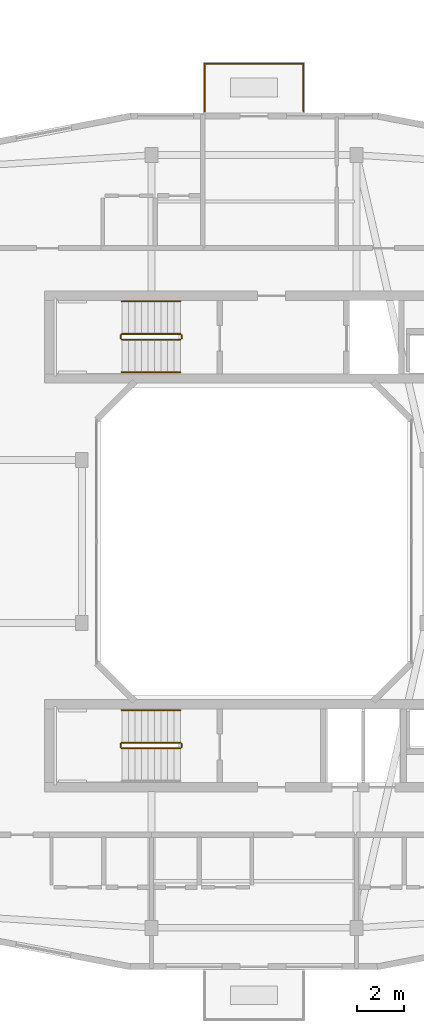
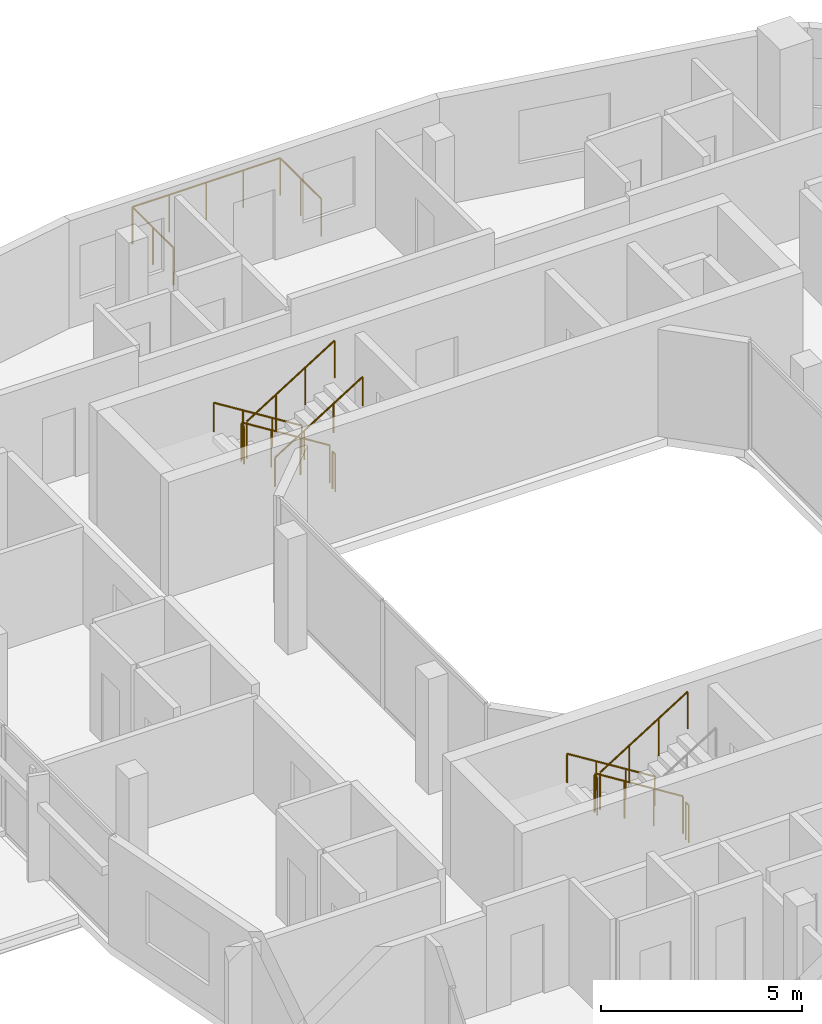
# One storey, part 22 of 22: 14 railings.
"""IFC4 building model written with IfcOpenShell, lengths in metres."""

from ifc_helpers import new_model, si_unit, derived_unit, direction, frame, origin, origin_2d, place, context, subcontext, project, spatial, circle, extrude, material, type_object, element, save


model = new_model("IFC4")

# Units and contexts
model_context = context("Model", 3, precision=1e-05, world=origin(), true_north=direction((0.0, 1.0)))
body_context = subcontext(model_context, "Body", "Model", "MODEL_VIEW")
ifc_project = project(units=[si_unit("LENGTHUNIT", "METRE"), si_unit("AREAUNIT", "SQUARE_METRE"), si_unit("VOLUMEUNIT", "CUBIC_METRE"), si_unit("PLANEANGLEUNIT", "RADIAN"), si_unit("MASSUNIT", "GRAM", prefix="KILO"), derived_unit("THERMALTRANSMITTANCEUNIT", [(si_unit("POWERUNIT", "WATT"), 1), (si_unit("LENGTHUNIT", "METRE"), -2), (si_unit("THERMODYNAMICTEMPERATUREUNIT", "KELVIN"), -1)])], contexts=[model_context])

# Site, building, storey
site_placement = place(None, origin())
site = spatial("IfcSite", under=ifc_project, at=site_placement, CompositionType="ELEMENT")
building_placement = place(site_placement, origin())
building = spatial("IfcBuilding", under=site, at=building_placement, Name="Kivonza Crest Hotel", CompositionType="ELEMENT")
storey_placement = place(building_placement, frame((0.0, 0.0, 124.0)))
storey = spatial("IfcBuildingStorey", under=building, at=storey_placement, Name="L33", CompositionType="ELEMENT", Elevation=124.0)

# Railings
ifc_material_1 = material(Name="Brushed stainless steel handrail", Category="steel")
railing_type_1 = type_object("IfcRailingType", Name="RL-HAND-900", PredefinedType="HANDRAIL", material=ifc_material_1)
railing_1_placement = place(storey_placement, frame((73.840087890625, 35.31005859375, 0.175048828125)))
element("IfcRailing", 1, at=railing_1_placement, inside=storey, type_object=railing_type_1, Name="L33 ST-T2-N stair handrail 1", PredefinedType="HANDRAIL", context=body_context, shape_type="SweptSolid", body=[
    extrude(circle(Radius=0.02392578125, at=origin_2d()), frame((0.0, 0.0, 0.8759765625), z_axis=(-0.848007534815, 0.0, 0.529984170421), x_axis=(0.0, -1.0, 0.0)), (0.0, 0.0, 1.0), 2.9716796875),
    extrude(circle(Radius=0.02099609375, at=origin_2d()), origin(), (0.0, 0.0, 1.0), 0.851806640625),
    extrude(circle(Radius=0.02099609375, at=origin_2d()), frame((-0.840087890625, 0.0, 0.52490234375)), (0.0, 0.0, 1.0), 0.851806640625),
    extrude(circle(Radius=0.02099609375, at=origin_2d()), frame((-1.679931640625, 0.0, 1.050048828125)), (0.0, 0.0, 1.0), 0.851806640625),
    extrude(circle(Radius=0.02099609375, at=origin_2d()), frame((-2.52001953125, 0.0, 1.574951171875)), (0.0, 0.0, 1.0), 0.851806640625),
])
railing_2_placement = place(storey_placement, frame((71.320068359375, 32.27001953125, 1.925048828125)))
element("IfcRailing", 2, at=railing_2_placement, inside=storey, type_object=railing_type_1, Name="L33 ST-T2-N stair handrail 2", PredefinedType="HANDRAIL", context=body_context, shape_type="SweptSolid", body=[
    extrude(circle(Radius=0.02392578125, at=origin_2d()), frame((0.0, 0.0, 0.8759765625), z_axis=(0.848007534815, 0.0, 0.529984170421), x_axis=(0.0, 1.0, 0.0)), (0.0, 0.0, 1.0), 2.9716796875),
    extrude(circle(Radius=0.02099609375, at=origin_2d()), origin(), (0.0, 0.0, 1.0), 0.851806640625),
    extrude(circle(Radius=0.02099609375, at=origin_2d()), frame((0.840087890625, 0.0, 0.52490234375)), (0.0, 0.0, 1.0), 0.851806640625),
    extrude(circle(Radius=0.02099609375, at=origin_2d()), frame((1.679931640625, 0.0, 1.050048828125)), (0.0, 0.0, 1.0), 0.851806640625),
    extrude(circle(Radius=0.02099609375, at=origin_2d()), frame((2.52001953125, 0.0, 1.574951171875)), (0.0, 0.0, 1.0), 0.851806640625),
])
railing_3_placement = place(storey_placement, frame((73.840087890625, 17.75, 0.175048828125)))
element("IfcRailing", 3, at=railing_3_placement, inside=storey, type_object=railing_type_1, Name="L33 ST-T2-S stair handrail 1", PredefinedType="HANDRAIL", context=body_context, shape_type="SweptSolid", body=[
    extrude(circle(Radius=0.02392578125, at=origin_2d()), frame((0.0, 0.0, 0.8759765625), z_axis=(-0.848007534815, 0.0, 0.529984170421), x_axis=(0.0, -1.0, 0.0)), (0.0, 0.0, 1.0), 2.9716796875),
    extrude(circle(Radius=0.02099609375, at=origin_2d()), origin(), (0.0, 0.0, 1.0), 0.851806640625),
    extrude(circle(Radius=0.02099609375, at=origin_2d()), frame((-0.840087890625, 0.0, 0.52490234375)), (0.0, 0.0, 1.0), 0.851806640625),
    extrude(circle(Radius=0.02099609375, at=origin_2d()), frame((-1.679931640625, 0.0, 1.050048828125)), (0.0, 0.0, 1.0), 0.851806640625),
    extrude(circle(Radius=0.02099609375, at=origin_2d()), frame((-2.52001953125, 0.0, 1.574951171875)), (0.0, 0.0, 1.0), 0.851806640625),
])
ifc_material_2 = material(Name="Painted steel balustrade", Category="steel")
railing_type_2 = type_object("IfcRailingType", Name="RL-STAIR-1150", PredefinedType="BALUSTRADE", material=ifc_material_2)
railing_4_placement = place(storey_placement, frame((73.840087890625, 33.909912109375, 0.175048828125)))
element("IfcRailing", 4, at=railing_4_placement, inside=storey, type_object=railing_type_2, Name="L33 ST-T2-N stair guard 1", PredefinedType="BALUSTRADE", context=body_context, shape_type="SweptSolid", body=[
    extrude(circle(Radius=0.02392578125, at=origin_2d()), frame((0.0, 0.0, 1.1259765625), z_axis=(-0.848007534815, 0.0, 0.529984170421), x_axis=(0.0, -1.0, 0.0)), (0.0, 0.0, 1.0), 2.9716796875),
    extrude(circle(Radius=0.02099609375, at=origin_2d()), origin(), (0.0, 0.0, 1.0), 1.101806640625),
    extrude(circle(Radius=0.02099609375, at=origin_2d()), frame((-0.840087890625, 0.0, 0.52490234375)), (0.0, 0.0, 1.0), 1.101806640625),
    extrude(circle(Radius=0.02099609375, at=origin_2d()), frame((-1.679931640625, 0.0, 1.050048828125)), (0.0, 0.0, 1.0), 1.101806640625),
    extrude(circle(Radius=0.02099609375, at=origin_2d()), frame((-2.52001953125, 0.0, 1.574951171875)), (0.0, 0.0, 1.0), 1.101806640625),
])
railing_5_placement = place(storey_placement, frame((71.27001953125, 33.860107421875, 1.75)))
element("IfcRailing", 5, at=railing_5_placement, inside=storey, type_object=railing_type_2, Name="L33 ST-T2-N stair guard 2", PredefinedType="BALUSTRADE", context=body_context, shape_type="SweptSolid", body=[
    extrude(circle(Radius=0.02392578125, at=origin_2d()), frame((0.0, 0.0, 1.1259765625), z_axis=(0.0, -1.0, 0.0), x_axis=(1.0, 0.0, 0.0)), (0.0, 0.0, 1.0), 0.14013671875),
    extrude(circle(Radius=0.02099609375, at=origin_2d()), origin(), (0.0, 0.0, 1.0), 1.101806640625),
    extrude(circle(Radius=0.02099609375, at=origin_2d()), frame((0.0, -0.14013671875, 0.0)), (0.0, 0.0, 1.0), 1.101806640625),
])
railing_6_placement = place(storey_placement, frame((71.320068359375, 33.669921875, 1.925048828125)))
element("IfcRailing", 6, at=railing_6_placement, inside=storey, type_object=railing_type_2, Name="L33 ST-T2-N stair guard 3", PredefinedType="BALUSTRADE", context=body_context, shape_type="SweptSolid", body=[
    extrude(circle(Radius=0.02392578125, at=origin_2d()), frame((0.0, 0.0, 1.1259765625), z_axis=(0.848007534815, 0.0, 0.529984170421), x_axis=(0.0, 1.0, 0.0)), (0.0, 0.0, 1.0), 2.9716796875),
    extrude(circle(Radius=0.02099609375, at=origin_2d()), origin(), (0.0, 0.0, 1.0), 1.101806640625),
    extrude(circle(Radius=0.02099609375, at=origin_2d()), frame((0.840087890625, 0.0, 0.52490234375)), (0.0, 0.0, 1.0), 1.101806640625),
    extrude(circle(Radius=0.02099609375, at=origin_2d()), frame((1.679931640625, 0.0, 1.050048828125)), (0.0, 0.0, 1.0), 1.101806640625),
    extrude(circle(Radius=0.02099609375, at=origin_2d()), frame((2.52001953125, 0.0, 1.574951171875)), (0.0, 0.0, 1.0), 1.101806640625),
])
railing_7_placement = place(storey_placement, frame((73.889892578125, 33.860107421875, 0.0)))
element("IfcRailing", 7, at=railing_7_placement, inside=storey, type_object=railing_type_2, Name="L33 ST-T2-N stair guard 4", PredefinedType="BALUSTRADE", context=body_context, shape_type="SweptSolid", body=[
    extrude(circle(Radius=0.02392578125, at=origin_2d()), frame((0.0, 0.0, 1.1259765625), z_axis=(0.0, -1.0, 0.0), x_axis=(1.0, 0.0, 0.0)), (0.0, 0.0, 1.0), 0.14013671875),
    extrude(circle(Radius=0.02099609375, at=origin_2d()), origin(), (0.0, 0.0, 1.0), 1.101806640625),
    extrude(circle(Radius=0.02099609375, at=origin_2d()), frame((0.0, -0.14013671875, 0.0)), (0.0, 0.0, 1.0), 1.101806640625),
])
railing_8_placement = place(storey_placement, frame((73.840087890625, 16.35009765625, 0.175048828125)))
element("IfcRailing", 8, at=railing_8_placement, inside=storey, type_object=railing_type_2, Name="L33 ST-T2-S stair guard 1", PredefinedType="BALUSTRADE", context=body_context, shape_type="SweptSolid", body=[
    extrude(circle(Radius=0.02392578125, at=origin_2d()), frame((0.0, 0.0, 1.1259765625), z_axis=(-0.848007534815, 0.0, 0.529984170421), x_axis=(0.0, -1.0, 0.0)), (0.0, 0.0, 1.0), 2.9716796875),
    extrude(circle(Radius=0.02099609375, at=origin_2d()), origin(), (0.0, 0.0, 1.0), 1.101806640625),
    extrude(circle(Radius=0.02099609375, at=origin_2d()), frame((-0.840087890625, 0.0, 0.52490234375)), (0.0, 0.0, 1.0), 1.101806640625),
    extrude(circle(Radius=0.02099609375, at=origin_2d()), frame((-1.679931640625, 0.0, 1.050048828125)), (0.0, 0.0, 1.0), 1.101806640625),
    extrude(circle(Radius=0.02099609375, at=origin_2d()), frame((-2.52001953125, 0.0, 1.574951171875)), (0.0, 0.0, 1.0), 1.101806640625),
])
railing_9_placement = place(storey_placement, frame((71.27001953125, 16.300048828125, 1.75)))
element("IfcRailing", 9, at=railing_9_placement, inside=storey, type_object=railing_type_2, Name="L33 ST-T2-S stair guard 2", PredefinedType="BALUSTRADE", context=body_context, shape_type="SweptSolid", body=[
    extrude(circle(Radius=0.02392578125, at=origin_2d()), frame((0.0, 0.0, 1.1259765625), z_axis=(0.0, -1.0, 0.0), x_axis=(1.0, 0.0, 0.0)), (0.0, 0.0, 1.0), 0.14013671875),
    extrude(circle(Radius=0.02099609375, at=origin_2d()), origin(), (0.0, 0.0, 1.0), 1.101806640625),
    extrude(circle(Radius=0.02099609375, at=origin_2d()), frame((0.0, -0.14013671875, 0.0)), (0.0, 0.0, 1.0), 1.101806640625),
])
railing_10_placement = place(storey_placement, frame((71.320068359375, 16.110107421875, 1.925048828125)))
element("IfcRailing", 10, at=railing_10_placement, inside=storey, type_object=railing_type_2, Name="L33 ST-T2-S stair guard 3", PredefinedType="BALUSTRADE", context=body_context, shape_type="SweptSolid", body=[
    extrude(circle(Radius=0.02392578125, at=origin_2d()), frame((0.0, 0.0, 1.1259765625), z_axis=(0.848007534815, 0.0, 0.529984170421), x_axis=(0.0, 1.0, 0.0)), (0.0, 0.0, 1.0), 2.9716796875),
    extrude(circle(Radius=0.02099609375, at=origin_2d()), origin(), (0.0, 0.0, 1.0), 1.101806640625),
    extrude(circle(Radius=0.02099609375, at=origin_2d()), frame((0.840087890625, 0.0, 0.52490234375)), (0.0, 0.0, 1.0), 1.101806640625),
    extrude(circle(Radius=0.02099609375, at=origin_2d()), frame((1.679931640625, 0.0, 1.050048828125)), (0.0, 0.0, 1.0), 1.101806640625),
    extrude(circle(Radius=0.02099609375, at=origin_2d()), frame((2.52001953125, 0.0, 1.574951171875)), (0.0, 0.0, 1.0), 1.101806640625),
])
railing_11_placement = place(storey_placement, frame((73.889892578125, 16.300048828125, 0.0)))
element("IfcRailing", 11, at=railing_11_placement, inside=storey, type_object=railing_type_2, Name="L33 ST-T2-S stair guard 4", PredefinedType="BALUSTRADE", context=body_context, shape_type="SweptSolid", body=[
    extrude(circle(Radius=0.02392578125, at=origin_2d()), frame((0.0, 0.0, 1.1259765625), z_axis=(0.0, -1.0, 0.0), x_axis=(1.0, 0.0, 0.0)), (0.0, 0.0, 1.0), 0.14013671875),
    extrude(circle(Radius=0.02099609375, at=origin_2d()), origin(), (0.0, 0.0, 1.0), 1.101806640625),
    extrude(circle(Radius=0.02099609375, at=origin_2d()), frame((0.0, -0.14013671875, 0.0)), (0.0, 0.0, 1.0), 1.101806640625),
])
ifc_material_3 = material(Name="Laminated glass and stainless steel balustrade", Category="steel")
railing_type_3 = type_object("IfcRailingType", Name="RL-TERR-1150", PredefinedType="BALUSTRADE", material=ifc_material_3)
railing_12_placement = place(storey_placement, frame((74.8798828125, 43.47998046875, 0.0)))
element("IfcRailing", 12, at=railing_12_placement, inside=storey, type_object=railing_type_3, Name="L33 T2-L33-SG-NE perimeter safety balustrade 1", PredefinedType="BALUSTRADE", context=body_context, shape_type="SweptSolid", body=[
    extrude(circle(Radius=0.02392578125, at=origin_2d()), frame((0.0, 0.0, 1.1259765625), z_axis=(0.0, 1.0, 0.0), x_axis=(-1.0, 0.0, 0.0)), (0.0, 0.0, 1.0), 2.0400390625),
    extrude(circle(Radius=0.02099609375, at=origin_2d()), origin(), (0.0, 0.0, 1.0), 1.101806640625),
    extrude(circle(Radius=0.02099609375, at=origin_2d()), frame((0.0, 1.02001953125, 0.0)), (0.0, 0.0, 1.0), 1.101806640625),
    extrude(circle(Radius=0.02099609375, at=origin_2d()), frame((0.0, 2.0400390625, 0.0)), (0.0, 0.0, 1.0), 1.101806640625),
])
railing_13_placement = place(storey_placement, frame((74.8798828125, 45.52001953125, 0.0)))
element("IfcRailing", 13, at=railing_13_placement, inside=storey, type_object=railing_type_3, Name="L33 T2-L33-SG-NE perimeter safety balustrade 2", PredefinedType="BALUSTRADE", context=body_context, shape_type="SweptSolid", body=[
    extrude(circle(Radius=0.02392578125, at=origin_2d()), frame((0.0, 0.0, 1.1259765625), z_axis=(1.0, 0.0, 0.0), x_axis=(0.0, 1.0, 0.0)), (0.0, 0.0, 1.0), 4.240234375),
    extrude(circle(Radius=0.02099609375, at=origin_2d()), origin(), (0.0, 0.0, 1.0), 1.101806640625),
    extrude(circle(Radius=0.02099609375, at=origin_2d()), frame((1.06005859375, 0.0, 0.0)), (0.0, 0.0, 1.0), 1.101806640625),
    extrude(circle(Radius=0.02099609375, at=origin_2d()), frame((2.1201171875, 0.0, 0.0)), (0.0, 0.0, 1.0), 1.101806640625),
    extrude(circle(Radius=0.02099609375, at=origin_2d()), frame((3.18017578125, 0.0, 0.0)), (0.0, 0.0, 1.0), 1.101806640625),
    extrude(circle(Radius=0.02099609375, at=origin_2d()), frame((4.240234375, 0.0, 0.0)), (0.0, 0.0, 1.0), 1.101806640625),
])
railing_14_placement = place(storey_placement, frame((79.1201171875, 45.52001953125, 0.0)))
element("IfcRailing", 14, at=railing_14_placement, inside=storey, type_object=railing_type_3, Name="L33 T2-L33-SG-NE perimeter safety balustrade 3", PredefinedType="BALUSTRADE", context=body_context, shape_type="SweptSolid", body=[
    extrude(circle(Radius=0.02392578125, at=origin_2d()), frame((0.0, 0.0, 1.1259765625), z_axis=(0.0, -1.0, 0.0), x_axis=(1.0, 0.0, 0.0)), (0.0, 0.0, 1.0), 2.0400390625),
    extrude(circle(Radius=0.02099609375, at=origin_2d()), origin(), (0.0, 0.0, 1.0), 1.101806640625),
    extrude(circle(Radius=0.02099609375, at=origin_2d()), frame((0.0, -1.02001953125, 0.0)), (0.0, 0.0, 1.0), 1.101806640625),
    extrude(circle(Radius=0.02099609375, at=origin_2d()), frame((0.0, -2.0400390625, 0.0)), (0.0, 0.0, 1.0), 1.101806640625),
])

save(model, "model.ifc")
